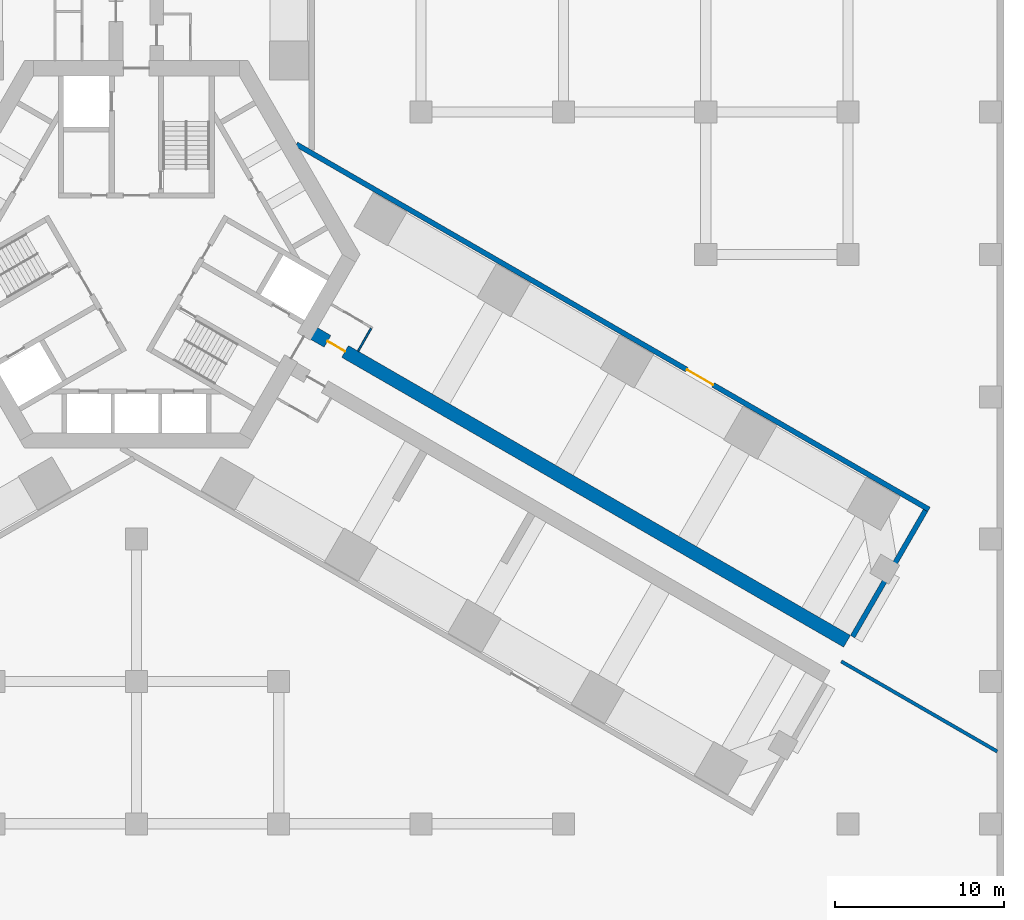
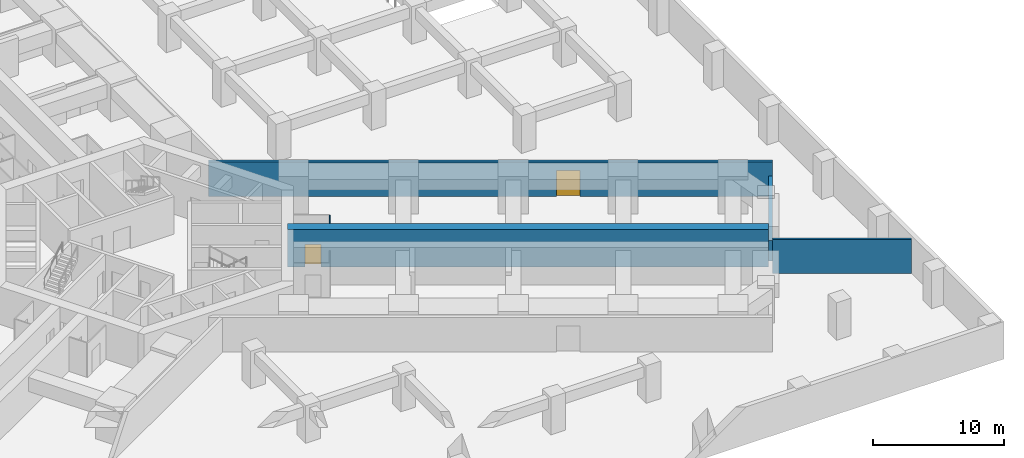
# One storey, part 8 of 11: 5 walls, 2 doors, 2 openings.
"""IFC4 building model written with IfcOpenShell, lengths in metres."""

from ifc_helpers import new_model, si_unit, direction, frame, frame_2d, origin, place, context, subcontext, project, spatial, rectangle, extrude, material, layer, layer_set, type_object, element, fill, save


model = new_model("IFC4")

# Units and contexts
model_context = context("Model", 3, precision=1e-05, world=origin(), true_north=direction((0.0, 1.0)))
body_context = subcontext(model_context, "Body", "Model", "MODEL_VIEW")
ifc_project = project(units=[si_unit("LENGTHUNIT", "METRE"), si_unit("AREAUNIT", "SQUARE_METRE"), si_unit("VOLUMEUNIT", "CUBIC_METRE"), si_unit("PLANEANGLEUNIT", "RADIAN"), si_unit("MASSUNIT", "GRAM", prefix="KILO")], contexts=[model_context])

# Site, building, storey
site_placement = place(None, origin())
site = spatial("IfcSite", under=ifc_project, at=site_placement, CompositionType="ELEMENT")
building_placement = place(site_placement, origin())
building = spatial("IfcBuilding", under=site, at=building_placement, Name="Impinga Residences", CompositionType="ELEMENT")
storey_placement = place(building_placement, frame((0.0, 0.0, -7.0)))
storey = spatial("IfcBuildingStorey", under=building, at=storey_placement, Name="B2", CompositionType="ELEMENT", Elevation=-7.0)

# Wall, opening, door
ifc_material_1 = material(Name="Concrete C70/85", Category="concrete")
ifc_layer_1 = layer(ifc_material_1, 0.800048828125)
ifc_layer_set_1 = layer_set([ifc_layer_1], Name="Concrete C70/85")
wall_type_1 = type_object("IfcWallType", Name="BW0 corridor buttress wall, B3 to L04 800", PredefinedType="SHEAR", material=ifc_layer_set_1)
wall_1_placement = place(storey_placement, frame((10.1103515625, -4.451416015625, 0.0), z_axis=(0.0, 0.0, 1.0), x_axis=(0.866025284237, -0.500000207062, 0.0)))
wall_1 = element("IfcWall", 1, at=wall_1_placement, inside=storey, type_object=wall_type_1, Name="Corridor wall BW0 EC B2", PredefinedType="SHEAR", context=body_context, shape_type="SweptSolid", body=[
    extrude(rectangle(XDim=36.75, YDim=0.800048828125, at=frame_2d((18.375, 0.0))), origin(), (0.0, 0.0, 1.0), 3.5),
])
opening_1_placement = place(wall_1_placement, frame((1.35009765625, 0.0, 0.0)))
opening_1 = element("IfcOpeningElement", 2, at=opening_1_placement, cuts=wall_1, Name="Opening D3", PredefinedType="OPENING", context=body_context, shape_type="SweptSolid", body=[
    extrude(rectangle(XDim=1.199951171875, YDim=2.10009765625, at=frame_2d((0.60009765625, 1.050048828125))), frame((0.0, 0.409912109375, 0.0), z_axis=(0.0, -1.0, 0.0), x_axis=(1.0, 0.0, 0.0)), (0.0, 0.0, 1.0), 0.820068359375),
])
ifc_material_2 = material(Name="Timber door set", Category="wood")
door_type_1 = type_object("IfcDoorType", Name="D3 room door, leaf and a half 1200x2100", OperationType="DOUBLE_SWING_LEFT", PredefinedType="DOOR", material=ifc_material_2)
door_1_placement = place(opening_1_placement, origin())
door_1 = element("IfcDoor", 3, at=door_1_placement, inside=storey, type_object=door_type_1, Name="Motorcycle store lobby door B2-EA1", OperationType="DOUBLE_SWING_LEFT", OverallHeight=2.10009765625, OverallWidth=1.199951171875, PredefinedType="DOOR", context=body_context, shape_type="SweptSolid", body=[
    extrude(rectangle(XDim=1.199951171875, YDim=2.10009765625, at=frame_2d((0.60009765625, 1.050048828125))), frame((0.0, 0.02490234375, 0.0), z_axis=(0.0, -1.0, 0.0), x_axis=(1.0, 0.0, 0.0)), (0.0, 0.0, 1.0), 0.050048828125),
])
fill(opening_1, door_1)

# Walls
ifc_material_3 = material(Name="Concrete blockwork", Category="masonry")
ifc_layer_2 = layer(ifc_material_3, 0.10009765625)
ifc_layer_set_2 = layer_set([ifc_layer_2], Name="CP1 core room partition, blockwork 100")
wall_type_2 = type_object("IfcWallType", Name="CP1 core room partition, blockwork 100", PredefinedType="PARTITIONING", material=ifc_layer_set_2)
wall_2_placement = place(storey_placement, frame((13.08154296875, -5.705078125, 0.0), z_axis=(0.0, 0.0, 1.0), x_axis=(0.500086022567, 0.865975732936, 0.0)))
element("IfcWall", 4, at=wall_2_placement, inside=storey, type_object=wall_type_2, Name="Core room partition, blockwork B2-EA1:L2", PredefinedType="PARTITIONING", context=body_context, shape_type="SweptSolid", body=[
    extrude(rectangle(XDim=1.550048828125, YDim=0.10009765625, at=frame_2d((0.77490234375, 0.0))), origin(), (0.0, 0.0, 1.0), 3.199951171875),
])
ifc_layer_3 = layer(ifc_material_3, 0.199951171875)
ifc_layer_set_3 = layer_set([ifc_layer_3], Name="PW2 podium compartment wall 200")
wall_type_3 = type_object("IfcWallType", Name="PW2 podium compartment wall 200", PredefinedType="SOLIDWALL", material=ifc_layer_set_3)
wall_3_placement = place(storey_placement, frame((41.596435546875, -24.015869140625, 0.0), z_axis=(0.0, 0.0, 1.0), x_axis=(0.866034858292, -0.499983623955, 0.0)))
element("IfcWall", 5, at=wall_3_placement, inside=storey, type_object=wall_type_3, Name="Podium compartment wall B2:REG:E", PredefinedType="SOLIDWALL", context=body_context, shape_type="SweptSolid", body=[
    extrude(rectangle(XDim=10.627197265625, YDim=0.199951171875, at=frame_2d((5.3134765625, 0.0))), origin(), (0.0, 0.0, 1.0), 3.199951171875),
])
ifc_layer_4 = layer(ifc_material_3, 0.300048828125)
ifc_layer_set_4 = layer_set([ifc_layer_4], Name="PW3 podium wall on the wing face 300")
wall_type_4 = type_object("IfcWallType", Name="PW3 podium wall on the wing face 300", PredefinedType="SOLIDWALL", material=ifc_layer_set_4)
wall_4_placement = place(storey_placement, frame((42.2666015625, -22.55517578125, 0.0), z_axis=(0.0, 0.0, 1.0), x_axis=(0.500007509209, 0.866021068297, 0.0)))
element("IfcWall", 6, at=wall_4_placement, inside=storey, type_object=wall_type_4, Name="Podium wall on the wing face B2:END:EA", PredefinedType="SOLIDWALL", context=body_context, shape_type="SweptSolid", body=[
    extrude(rectangle(XDim=8.599853515625, YDim=0.300048828125, at=frame_2d((4.2998046875, 0.0))), origin(), (0.0, 0.0, 1.0), 1.89990234375),
])

# Wall, opening, door
wall_5_placement = place(storey_placement, frame((9.449951171875, 6.4951171875, 0.0), z_axis=(0.0, 0.0, 1.0), x_axis=(0.866025301493, -0.500000177174, 0.0)))
wall_5 = element("IfcWall", 7, at=wall_5_placement, inside=storey, type_object=wall_type_4, Name="Podium wall on the wing face B2:SIDE:EA0", PredefinedType="SOLIDWALL", context=body_context, shape_type="SweptSolid", body=[
    extrude(rectangle(XDim=43.09521484375, YDim=0.300048828125, at=frame_2d((21.547607421875, 0.0))), origin(), (0.0, 0.0, 1.0), 3.199951171875),
])
opening_2_placement = place(wall_5_placement, frame((26.59521484375, 0.0, 0.0)))
opening_2 = element("IfcOpeningElement", 8, at=opening_2_placement, cuts=wall_5, Name="Opening D7", PredefinedType="OPENING", context=body_context, shape_type="SweptSolid", body=[
    extrude(rectangle(XDim=1.800048828125, YDim=2.39990234375, at=frame_2d((0.89990234375, 1.199951171875))), frame((0.0, 0.159912109375, 0.0), z_axis=(0.0, -1.0, 0.0), x_axis=(1.0, 0.0, 0.0)), (0.0, 0.0, 1.0), 0.320068359375),
])
door_type_2 = type_object("IfcDoorType", Name="D7 podium door pair 1800x2400", OperationType="DOUBLE_DOOR_DOUBLE_SWING", PredefinedType="DOOR", material=ifc_material_2)
door_2_placement = place(opening_2_placement, origin())
door_2 = element("IfcDoor", 9, at=door_2_placement, inside=storey, type_object=door_type_2, Name="Double door EA", OperationType="DOUBLE_DOOR_DOUBLE_SWING", OverallHeight=2.39990234375, OverallWidth=1.800048828125, PredefinedType="DOOR", context=body_context, shape_type="SweptSolid", body=[
    extrude(rectangle(XDim=1.800048828125, YDim=2.39990234375, at=frame_2d((0.89990234375, 1.199951171875))), frame((0.0, 0.02490234375, 0.0), z_axis=(0.0, -1.0, 0.0), x_axis=(1.0, 0.0, 0.0)), (0.0, 0.0, 1.0), 0.050048828125),
])
fill(opening_2, door_2)

save(model, "model.ifc")
